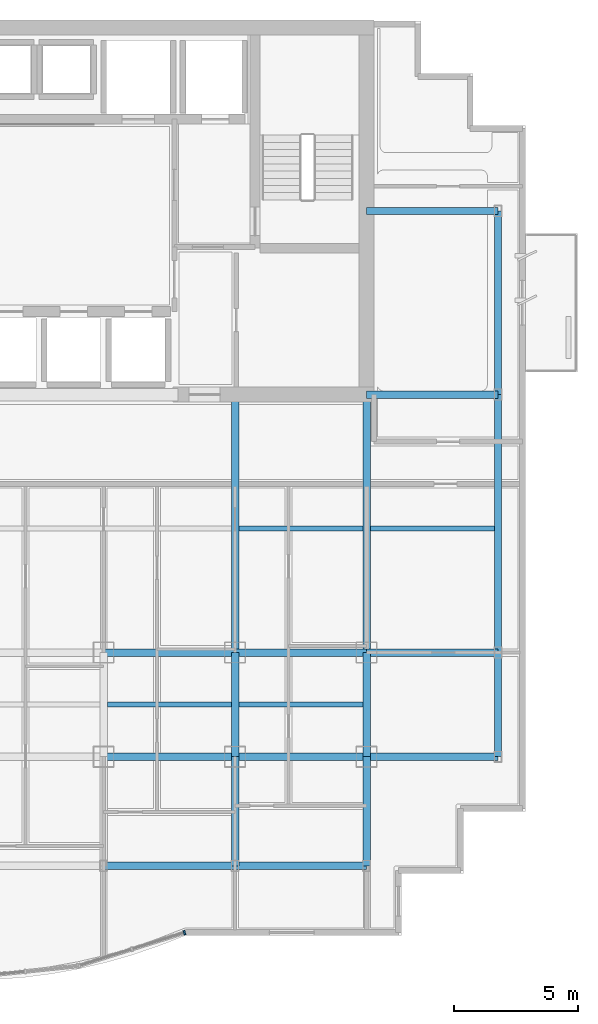
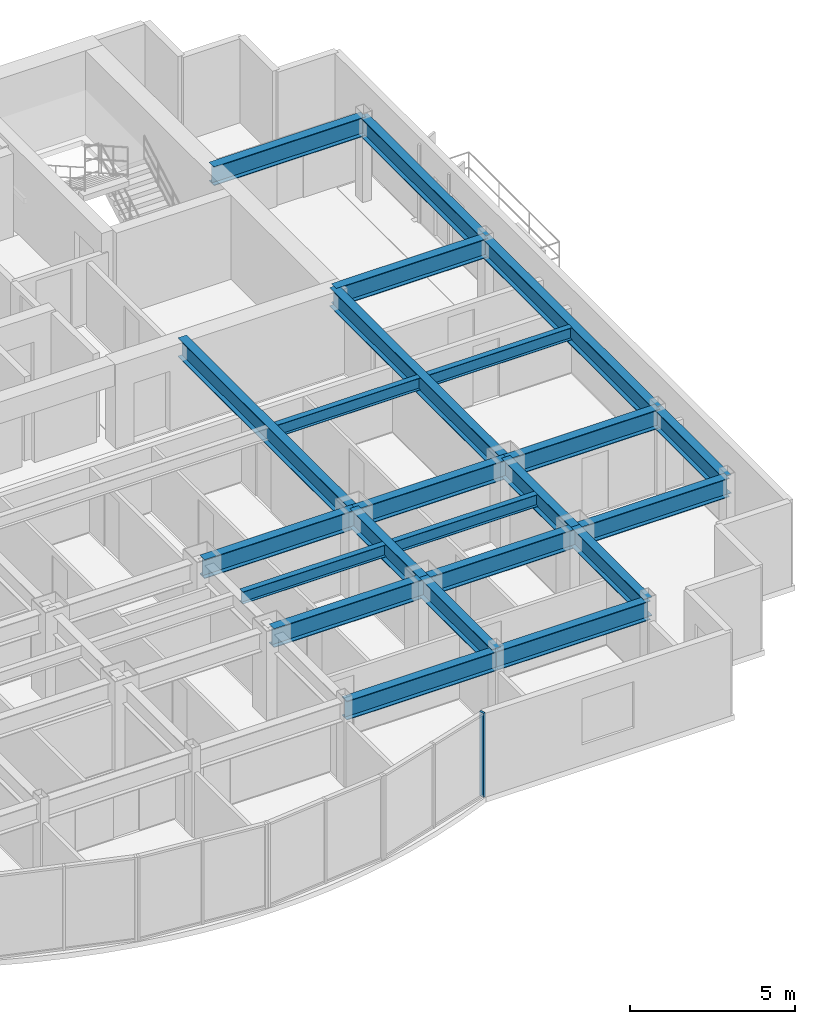
# One storey, part 4 of 11: 23 beams, 1 member, 1 element without a shape of its own.
"""IFC4 building model written with IfcOpenShell, lengths in metres."""

from ifc_helpers import new_model, si_unit, direction, frame, origin, origin_2d, place, context, subcontext, project, spatial, rectangle, i_section, extrude, source, transform, mapped, material, layer, layer_set, material_profile, profile_set, type_object, element, aggregate, save


model = new_model("IFC4")

# Units and contexts
model_context = context("Model", 3, precision=1e-05, world=origin(), true_north=direction((0.0, 1.0)))
body_context = subcontext(model_context, "Body", "Model", "MODEL_VIEW")
ifc_project = project(units=[si_unit("LENGTHUNIT", "METRE"), si_unit("AREAUNIT", "SQUARE_METRE"), si_unit("VOLUMEUNIT", "CUBIC_METRE"), si_unit("PLANEANGLEUNIT", "RADIAN"), si_unit("MASSUNIT", "GRAM", prefix="KILO")], contexts=[model_context])

# Site, building, storey
site_placement = place(None, origin())
site = spatial("IfcSite", under=ifc_project, at=site_placement, CompositionType="ELEMENT")
building_placement = place(site_placement, origin())
building = spatial("IfcBuilding", under=site, at=building_placement, Name="Qianlan Lanfeng Residences", CompositionType="ELEMENT")
storey_placement = place(building_placement, frame((0.0, 0.0, 172.199951171875)))
storey = spatial("IfcBuildingStorey", under=building, at=storey_placement, Name="L47", CompositionType="ELEMENT", Elevation=172.199951171875)

# Beams
ifc_material_1 = material(Name="Steel SN490B", Category="steel")
ifc_material_profile_1 = material_profile(ifc_material_1, i_section(OverallWidth=0.300048828125, OverallDepth=0.699951171875, WebThickness=0.012939453125, FlangeThickness=0.02392578125, at=origin_2d()), Name="H 700x300x13x24")
ifc_profile_set_1 = profile_set([ifc_material_profile_1], Name="Steel SN490B")
beam_type_1 = type_object("IfcBeamType", Name="G-750", PredefinedType="BEAM", material=ifc_profile_set_1)
beam_1_placement = place(storey_placement, frame((31.800048828125, 10.60009765625, 2.75), z_axis=(1.0, 0.0, 0.0), x_axis=(0.0, 1.0, 0.0)))
element("IfcBeam", 1, at=beam_1_placement, inside=storey, type_object=beam_type_1, Name="Structural beam G-750", PredefinedType="BEAM", context=body_context, shape_type="SweptSolid", body=[
    extrude(i_section(OverallWidth=0.300048828125, OverallDepth=0.699951171875, WebThickness=0.012939453125, FlangeThickness=0.02392578125, at=origin_2d()), origin(), (0.0, 0.0, 1.0), 5.300048828125),
])
beam_2_placement = place(storey_placement, frame((37.10009765625, 10.60009765625, 2.75), z_axis=(1.0, 0.0, 0.0), x_axis=(0.0, 1.0, 0.0)))
element("IfcBeam", 2, at=beam_2_placement, inside=storey, type_object=beam_type_1, Name="Structural beam G-750", PredefinedType="BEAM", context=body_context, shape_type="SweptSolid", body=[
    extrude(i_section(OverallWidth=0.300048828125, OverallDepth=0.699951171875, WebThickness=0.012939453125, FlangeThickness=0.02392578125, at=origin_2d()), origin(), (0.0, 0.0, 1.0), 5.2998046875),
])
for number, where, z_axis, x_axis, name in (
    (3, (42.39990234375, 10.60009765625, 2.75), (1.0, 0.0, 0.0), (0.0, 1.0, 0.0), "Structural beam G-750"),
    (4, (31.800048828125, 14.800048828125, 2.75), (1.0, 0.0, 0.0), (0.0, 1.0, 0.0), "Structural beam G-750"),
):
    element("IfcBeam", number, at=place(storey_placement, frame(where, z_axis=z_axis, x_axis=x_axis)), inside=storey, type_object=beam_type_1, Name=name, PredefinedType="BEAM", context=body_context, shape_type="SweptSolid", body=[
        extrude(i_section(OverallWidth=0.300048828125, OverallDepth=0.699951171875, WebThickness=0.012939453125, FlangeThickness=0.02392578125, at=origin_2d()), origin(), (0.0, 0.0, 1.0), 5.300048828125),
    ])
beam_3_placement = place(storey_placement, frame((37.10009765625, 14.800048828125, 2.75), z_axis=(1.0, 0.0, 0.0), x_axis=(0.0, 1.0, 0.0)))
element("IfcBeam", 5, at=beam_3_placement, inside=storey, type_object=beam_type_1, Name="Structural beam G-750", PredefinedType="BEAM", context=body_context, shape_type="SweptSolid", body=[
    extrude(i_section(OverallWidth=0.300048828125, OverallDepth=0.699951171875, WebThickness=0.012939453125, FlangeThickness=0.02392578125, at=origin_2d()), origin(), (0.0, 0.0, 1.0), 5.2998046875),
])
for number, where, z_axis, x_axis, name in (
    (6, (42.39990234375, 14.800048828125, 2.75), (1.0, 0.0, 0.0), (0.0, 1.0, 0.0), "Structural beam G-750"),
    (7, (42.39990234375, 25.199951171875, 2.75), (1.0, 0.0, 0.0), (0.0, 1.0, 0.0), "Structural beam G-750"),
    (8, (42.39990234375, 32.60009765625, 2.75), (1.0, 0.0, 0.0), (0.0, 1.0, 0.0), "Structural beam G-750"),
):
    element("IfcBeam", number, at=place(storey_placement, frame(where, z_axis=z_axis, x_axis=x_axis)), inside=storey, type_object=beam_type_1, Name=name, PredefinedType="BEAM", context=body_context, shape_type="SweptSolid", body=[
        extrude(i_section(OverallWidth=0.300048828125, OverallDepth=0.699951171875, WebThickness=0.012939453125, FlangeThickness=0.02392578125, at=origin_2d()), origin(), (0.0, 0.0, 1.0), 5.300048828125),
    ])
beam_4_placement = place(storey_placement, frame((37.10009765625, 6.199951171875, 2.75), z_axis=(0.0, 1.0, 0.0), x_axis=(-1.0, 0.0, 0.0)))
element("IfcBeam", 9, at=beam_4_placement, inside=storey, type_object=beam_type_1, Name="Structural beam G-750", PredefinedType="BEAM", context=body_context, shape_type="SweptSolid", body=[
    extrude(i_section(OverallWidth=0.300048828125, OverallDepth=0.699951171875, WebThickness=0.012939453125, FlangeThickness=0.02392578125, at=origin_2d()), origin(), (0.0, 0.0, 1.0), 4.400146484375),
])
beam_5_placement = place(storey_placement, frame((37.10009765625, 10.60009765625, 2.75), z_axis=(0.0, 1.0, 0.0), x_axis=(-1.0, 0.0, 0.0)))
element("IfcBeam", 10, at=beam_5_placement, inside=storey, type_object=beam_type_1, Name="Structural beam G-750", PredefinedType="BEAM", context=body_context, shape_type="SweptSolid", body=[
    extrude(i_section(OverallWidth=0.300048828125, OverallDepth=0.699951171875, WebThickness=0.012939453125, FlangeThickness=0.02392578125, at=origin_2d()), origin(), (0.0, 0.0, 1.0), 4.199951171875),
])
beam_6_placement = place(storey_placement, frame((37.10009765625, 14.800048828125, 2.75), z_axis=(0.0, 1.0, 0.0), x_axis=(-1.0, 0.0, 0.0)))
element("IfcBeam", 11, at=beam_6_placement, inside=storey, type_object=beam_type_1, Name="Structural beam G-750", PredefinedType="BEAM", context=body_context, shape_type="SweptSolid", body=[
    extrude(i_section(OverallWidth=0.300048828125, OverallDepth=0.699951171875, WebThickness=0.012939453125, FlangeThickness=0.02392578125, at=origin_2d()), origin(), (0.0, 0.0, 1.0), 10.39990234375),
])
beam_7_placement = place(storey_placement, frame((42.39990234375, 6.199951171875, 2.75), z_axis=(0.0, 1.0, 0.0), x_axis=(-1.0, 0.0, 0.0)))
element("IfcBeam", 12, at=beam_7_placement, inside=storey, type_object=beam_type_1, Name="Structural beam G-750", PredefinedType="BEAM", context=body_context, shape_type="SweptSolid", body=[
    extrude(i_section(OverallWidth=0.300048828125, OverallDepth=0.699951171875, WebThickness=0.012939453125, FlangeThickness=0.02392578125, at=origin_2d()), origin(), (0.0, 0.0, 1.0), 4.400146484375),
])
beam_8_placement = place(storey_placement, frame((42.39990234375, 10.60009765625, 2.75), z_axis=(0.0, 1.0, 0.0), x_axis=(-1.0, 0.0, 0.0)))
element("IfcBeam", 13, at=beam_8_placement, inside=storey, type_object=beam_type_1, Name="Structural beam G-750", PredefinedType="BEAM", context=body_context, shape_type="SweptSolid", body=[
    extrude(i_section(OverallWidth=0.300048828125, OverallDepth=0.699951171875, WebThickness=0.012939453125, FlangeThickness=0.02392578125, at=origin_2d()), origin(), (0.0, 0.0, 1.0), 4.199951171875),
])
beam_9_placement = place(storey_placement, frame((42.39990234375, 14.800048828125, 2.75), z_axis=(0.0, 1.0, 0.0), x_axis=(-1.0, 0.0, 0.0)))
element("IfcBeam", 14, at=beam_9_placement, inside=storey, type_object=beam_type_1, Name="Structural beam G-750", PredefinedType="BEAM", context=body_context, shape_type="SweptSolid", body=[
    extrude(i_section(OverallWidth=0.300048828125, OverallDepth=0.699951171875, WebThickness=0.012939453125, FlangeThickness=0.02392578125, at=origin_2d()), origin(), (0.0, 0.0, 1.0), 10.39990234375),
])
ifc_material_profile_2 = material_profile(ifc_material_1, i_section(OverallWidth=0.199951171875, OverallDepth=0.449951171875, WebThickness=0.009033203125, FlangeThickness=0.013916015625, at=origin_2d()), Name="H 450x200x9x14")
ifc_profile_set_2 = profile_set([ifc_material_profile_2], Name="Steel SN490B")
beam_type_2 = type_object("IfcBeamType", Name="J-450", PredefinedType="JOIST", material=ifc_profile_set_2)
for number, where, z_axis, x_axis, name in (
    (15, (31.949951171875, 12.699951171875, 2.875), (1.0, 0.0, 0.0), (0.0, 1.0, 0.0), "Structural beam J-450"),
    (16, (37.25, 12.699951171875, 2.875), (1.0, 0.0, 0.0), (0.0, 1.0, 0.0), "Structural beam J-450"),
    (17, (37.25, 19.800048828125, 2.875), (1.0, 0.0, 0.0), (0.0, 1.0, 0.0), "Structural beam J-450"),
    (18, (42.550048828125, 19.800048828125, 2.875), (1.0, 0.0, 0.0), (0.0, 1.0, 0.0), "Structural beam J-450"),
):
    element("IfcBeam", number, at=place(storey_placement, frame(where, z_axis=z_axis, x_axis=x_axis)), inside=storey, type_object=beam_type_2, Name=name, PredefinedType="JOIST", context=body_context, shape_type="SweptSolid", body=[
        extrude(i_section(OverallWidth=0.199951171875, OverallDepth=0.449951171875, WebThickness=0.009033203125, FlangeThickness=0.013916015625, at=origin_2d()), origin(), (0.0, 0.0, 1.0), 5.0),
    ])
ifc_material_profile_3 = material_profile(ifc_material_1, i_section(OverallWidth=0.300048828125, OverallDepth=0.699951171875, WebThickness=0.012939453125, FlangeThickness=0.02392578125, at=origin_2d()), Name="H 700x300x13x24")
ifc_profile_set_3 = profile_set([ifc_material_profile_3], Name="Steel SN490B")
beam_type_3 = type_object("IfcBeamType", Name="SG-750", PredefinedType="SPANDREL", material=ifc_profile_set_3)
beam_10_placement = place(storey_placement, frame((31.800048828125, 6.199951171875, 2.739990234375), z_axis=(1.0, 0.0, 0.0), x_axis=(0.0, 1.0, 0.0)))
element("IfcBeam", 19, at=beam_10_placement, inside=storey, type_object=beam_type_3, Name="Structural beam SG-750", PredefinedType="SPANDREL", context=body_context, shape_type="SweptSolid", body=[
    extrude(i_section(OverallWidth=0.300048828125, OverallDepth=0.699951171875, WebThickness=0.012939453125, FlangeThickness=0.02392578125, at=origin_2d()), origin(), (0.0, 0.0, 1.0), 5.300048828125),
])
beam_11_placement = place(storey_placement, frame((37.10009765625, 6.199951171875, 2.739990234375), z_axis=(1.0, 0.0, 0.0), x_axis=(0.0, 1.0, 0.0)))
element("IfcBeam", 20, at=beam_11_placement, inside=storey, type_object=beam_type_3, Name="Structural beam SG-750", PredefinedType="SPANDREL", context=body_context, shape_type="SweptSolid", body=[
    extrude(i_section(OverallWidth=0.300048828125, OverallDepth=0.699951171875, WebThickness=0.012939453125, FlangeThickness=0.02392578125, at=origin_2d()), origin(), (0.0, 0.0, 1.0), 5.2998046875),
])
beam_12_placement = place(storey_placement, frame((47.699951171875, 10.60009765625, 2.739990234375), z_axis=(0.0, 1.0, 0.0), x_axis=(-1.0, 0.0, 0.0)))
element("IfcBeam", 21, at=beam_12_placement, inside=storey, type_object=beam_type_3, Name="Structural beam SG-750", PredefinedType="SPANDREL", context=body_context, shape_type="SweptSolid", body=[
    extrude(i_section(OverallWidth=0.300048828125, OverallDepth=0.699951171875, WebThickness=0.012939453125, FlangeThickness=0.02392578125, at=origin_2d()), origin(), (0.0, 0.0, 1.0), 4.199951171875),
])
beam_13_placement = place(storey_placement, frame((47.699951171875, 14.800048828125, 2.739990234375), z_axis=(0.0, 1.0, 0.0), x_axis=(-1.0, 0.0, 0.0)))
element("IfcBeam", 22, at=beam_13_placement, inside=storey, type_object=beam_type_3, Name="Structural beam SG-750", PredefinedType="SPANDREL", context=body_context, shape_type="SweptSolid", body=[
    extrude(i_section(OverallWidth=0.300048828125, OverallDepth=0.699951171875, WebThickness=0.012939453125, FlangeThickness=0.02392578125, at=origin_2d()), origin(), (0.0, 0.0, 1.0), 10.39990234375),
])
beam_14_placement = place(storey_placement, frame((47.699951171875, 25.199951171875, 2.739990234375), z_axis=(0.0, 1.0, 0.0), x_axis=(-1.0, 0.0, 0.0)))
element("IfcBeam", 23, at=beam_14_placement, inside=storey, type_object=beam_type_3, Name="Structural beam SG-750", PredefinedType="SPANDREL", context=body_context, shape_type="SweptSolid", body=[
    extrude(i_section(OverallWidth=0.300048828125, OverallDepth=0.699951171875, WebThickness=0.012939453125, FlangeThickness=0.02392578125, at=origin_2d()), origin(), (0.0, 0.0, 1.0), 7.400146484375),
])

# Curtain wall, member
ifc_material_2 = material(Name="Anodised Bronze Aluminium 6063-T6", Category="aluminium")
ifc_layer = layer(ifc_material_2, 0.219970703125)
ifc_layer_set = layer_set([ifc_layer], Name="Anodised Bronze Aluminium 6063-T6")
curtain_wall_type = type_object("IfcCurtainWallType", Name="CW-04", PredefinedType="NOTDEFINED", material=ifc_layer_set)
curtain_wall_placement = place(storey_placement, origin())
curtain_wall = element("IfcCurtainWall", 24, at=curtain_wall_placement, inside=storey, type_object=curtain_wall_type, Name="L47 Unitised Curtain Wall CWR-L47-05 (CW-04)", PredefinedType="NOTDEFINED")
ifc_material_profile_4 = material_profile(ifc_material_2, rectangle(XDim=0.074951171875, YDim=0.179931640625, at=origin_2d()), Name="ALU MULLION 75x180")
ifc_profile_set_4 = profile_set([ifc_material_profile_4], Name="Anodised Bronze Aluminium 6063-T6")
member_type = type_object("IfcMemberType", Name="CWM-180", PredefinedType="MULLION", material=ifc_profile_set_4)
shared_shape = source(origin(), body_context, "Body", "SweptSolid", [
    extrude(rectangle(XDim=0.074951171875, YDim=0.179931640625, at=origin_2d()), origin(), (0.0, 0.0, 1.0), 3.10009765625),
])
member_placement = place(storey_placement, frame((35.061279296875, 3.5087890625, 0.0), z_axis=(0.0, 0.0, 1.0), x_axis=(0.954195954421, 0.299182353367, 0.0)))
member = element("IfcMember", 25, at=member_placement, type_object=member_type, Name="CWR-L47-05 Mullion 3", PredefinedType="MULLION", context=body_context, shape_type="MappedRepresentation", body=[
    mapped(shared_shape, transform((0.0, 0.0, 0.0), scale=1.0)),
])
aggregate(curtain_wall, [member])

save(model, "model.ifc")
